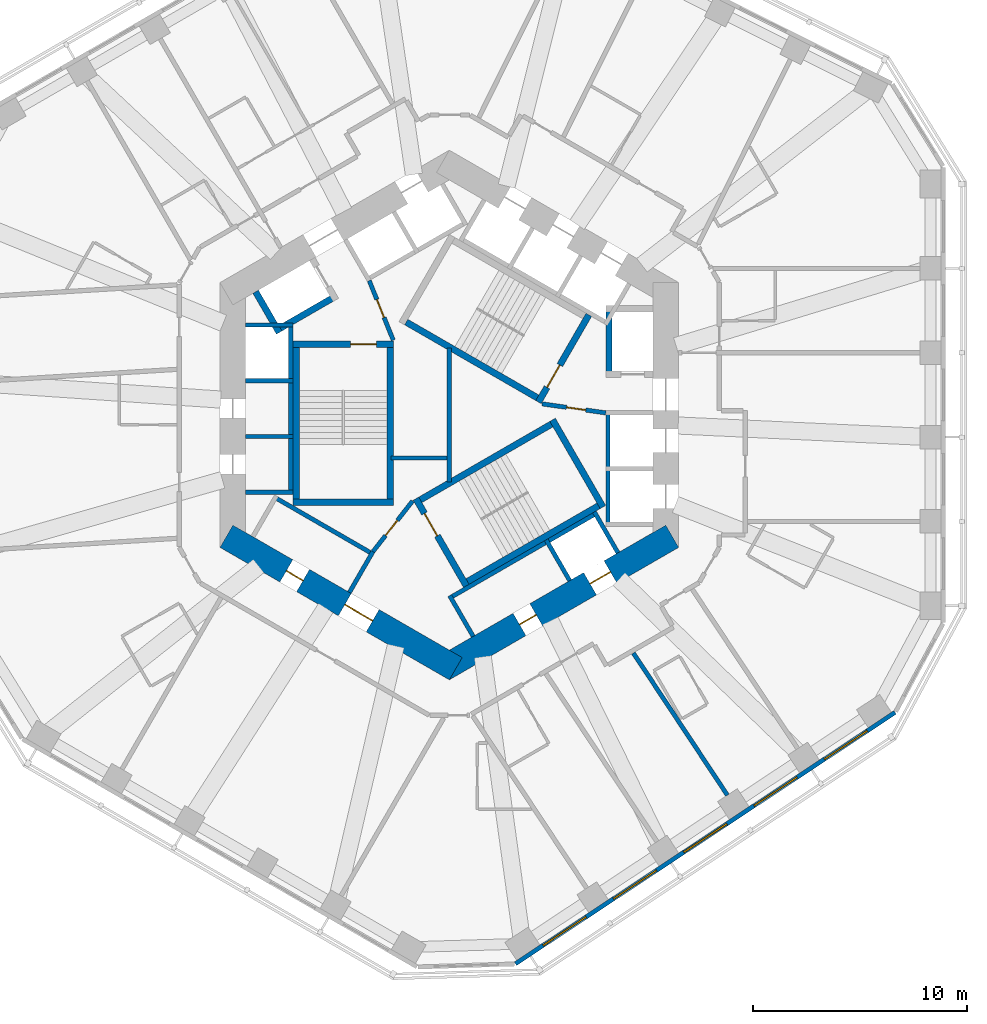
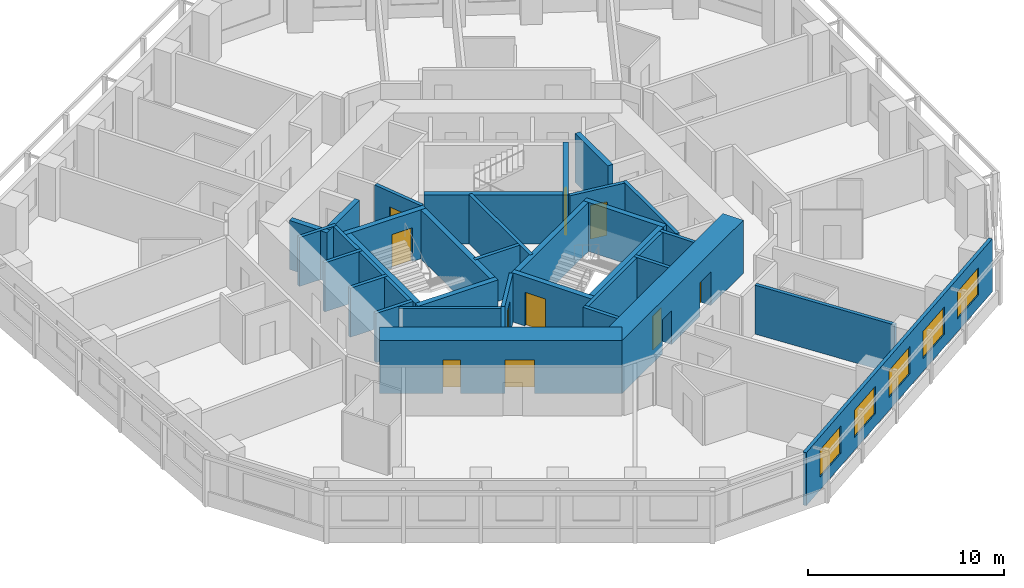
# One storey, part 5 of 12: 34 walls, 10 doors, 5 windows, 15 openings.
"""IFC4 building model written with IfcOpenShell, lengths in metres."""

from ifc_helpers import new_model, si_unit, direction, frame, frame_2d, origin, place, context, subcontext, project, spatial, rectangle, extrude, material, layer, layer_set, type_object, element, fill, save


model = new_model("IFC4")

# Units and contexts
model_context = context("Model", 3, precision=1e-05, world=origin(), true_north=direction((0.0, 1.0)))
body_context = subcontext(model_context, "Body", "Model", "MODEL_VIEW")
ifc_project = project(units=[si_unit("LENGTHUNIT", "METRE"), si_unit("AREAUNIT", "SQUARE_METRE"), si_unit("VOLUMEUNIT", "CUBIC_METRE"), si_unit("PLANEANGLEUNIT", "RADIAN"), si_unit("MASSUNIT", "GRAM", prefix="KILO")], contexts=[model_context])

# Site, building, storey
site_placement = place(None, origin())
site = spatial("IfcSite", under=ifc_project, at=site_placement, CompositionType="ELEMENT")
building_placement = place(site_placement, origin())
building = spatial("IfcBuilding", under=site, at=building_placement, Name="Vanh Sen Convention Tower", CompositionType="ELEMENT")
storey_placement = place(building_placement, frame((0.0, 0.0, 113.300048828125)))
storey = spatial("IfcBuildingStorey", under=building, at=storey_placement, Name="L27", CompositionType="ELEMENT", Elevation=113.300048828125)

# Wall, openings, doors
ifc_material_1 = material(Name="Concrete C80/95", Category="concrete")
ifc_layer_1 = layer(ifc_material_1, 1.199951171875)
ifc_layer_set_1 = layer_set([ifc_layer_1], Name="Concrete C80/95")
wall_type_1 = type_object("IfcWallType", Name="Core outer wall 1200 C80/95", PredefinedType="SHEAR", material=ifc_layer_set_1)
wall_1_placement = place(storey_placement, frame((-10.39990234375, -5.657958984375, 0.0), z_axis=(0.0, 0.0, 1.0), x_axis=(0.866021384402, -0.500006961711, 0.0)))
wall_1 = element("IfcWall", 1, at=wall_1_placement, inside=storey, type_object=wall_type_1, Name="Core wall face SW L27", PredefinedType="SHEAR", context=body_context, shape_type="SweptSolid", body=[
    extrude(rectangle(XDim=12.355224609375, YDim=1.199951171875, at=frame_2d((6.177734375, 0.0))), origin(), (0.0, 0.0, 1.0), 3.300048828125),
])
opening_1_placement = place(wall_1_placement, frame((6.377685546875, 0.0, 0.0)))
opening_1 = element("IfcOpeningElement", 2, at=opening_1_placement, cuts=wall_1, Name="Opening D27003", PredefinedType="OPENING", context=body_context, shape_type="SweptSolid", body=[
    extrude(rectangle(XDim=1.5, YDim=2.10009765625, at=frame_2d((0.75, 1.050048828125))), frame((0.0, 0.60986328125, 0.0), z_axis=(0.0, -1.0, 0.0), x_axis=(1.0, 0.0, 0.0)), (0.0, 0.0, 1.0), 1.219970703125),
])
opening_2_placement = place(wall_1_placement, frame((3.227783203125, 0.0, 0.0)))
opening_2 = element("IfcOpeningElement", 3, at=opening_2_placement, cuts=wall_1, Name="Opening D27012", PredefinedType="OPENING", context=body_context, shape_type="SweptSolid", body=[
    extrude(rectangle(XDim=0.89990234375, YDim=2.10009765625, at=frame_2d((0.449951171875, 1.050048828125))), frame((0.0, 0.60986328125, 0.0), z_axis=(0.0, -1.0, 0.0), x_axis=(1.0, 0.0, 0.0)), (0.0, 0.0, 1.0), 1.219970703125),
])
ifc_material_2 = material(Name="Steel S355", Category="steel")
door_type_1 = type_object("IfcDoorType", Name="Plant door 900", OperationType="SINGLE_SWING_LEFT", PredefinedType="DOOR", material=ifc_material_2)
door_1_placement = place(opening_2_placement, origin())
door_1 = element("IfcDoor", 4, at=door_1_placement, inside=storey, type_object=door_type_1, Name="Plant door D27012", OperationType="SINGLE_SWING_LEFT", OverallHeight=2.10009765625, OverallWidth=0.89990234375, PredefinedType="DOOR", context=body_context, shape_type="SweptSolid", body=[
    extrude(rectangle(XDim=0.89990234375, YDim=2.10009765625, at=frame_2d((0.449951171875, 1.050048828125))), frame((0.0, 0.02490234375, 0.0), z_axis=(0.0, -1.0, 0.0), x_axis=(1.0, 0.0, 0.0)), (0.0, 0.0, 1.0), 0.050048828125),
])
fill(opening_2, door_1)
door_type_2 = type_object("IfcDoorType", Name="Stair lobby door 1500", OperationType="DOUBLE_DOOR_SINGLE_SWING", PredefinedType="DOOR", material=ifc_material_2)
door_2_placement = place(opening_1_placement, origin())
door_2 = element("IfcDoor", 5, at=door_2_placement, inside=storey, type_object=door_type_2, Name="Stair lobby door D27003", OperationType="DOUBLE_DOOR_SINGLE_SWING", OverallHeight=2.10009765625, OverallWidth=1.5, PredefinedType="DOOR", context=body_context, shape_type="SweptSolid", body=[
    extrude(rectangle(XDim=1.5, YDim=2.10009765625, at=frame_2d((0.75, 1.050048828125))), frame((0.0, 0.02490234375, 0.0), z_axis=(0.0, -1.0, 0.0), x_axis=(1.0, 0.0, 0.0)), (0.0, 0.0, 1.0), 0.050048828125),
])
fill(opening_1, door_2)

wall_2_placement = place(storey_placement, frame((-0.300048828125, -11.835693359375, 0.0), z_axis=(0.0, 0.0, 1.0), x_axis=(0.866021384402, 0.500006961711, 0.0)))
wall_2 = element("IfcWall", 6, at=wall_2_placement, inside=storey, type_object=wall_type_1, Name="Core wall face SE L27", PredefinedType="SHEAR", context=body_context, shape_type="SweptSolid", body=[
    extrude(rectangle(XDim=12.355224609375, YDim=1.199951171875, at=frame_2d((6.177734375, 0.0))), origin(), (0.0, 0.0, 1.0), 3.300048828125),
])
opening_3_placement = place(wall_2_placement, frame((4.127685546875, 0.0, 0.0)))
opening_3 = element("IfcOpeningElement", 7, at=opening_3_placement, cuts=wall_2, Name="Opening D27013", PredefinedType="OPENING", context=body_context, shape_type="SweptSolid", body=[
    extrude(rectangle(XDim=0.89990234375, YDim=2.10009765625, at=frame_2d((0.449951171875, 1.050048828125))), frame((0.0, 0.60986328125, 0.0), z_axis=(0.0, -1.0, 0.0), x_axis=(1.0, 0.0, 0.0)), (0.0, 0.0, 1.0), 1.219970703125),
])
opening_4_placement = place(wall_2_placement, frame((7.927734375, 0.0, 0.0)))
opening_4 = element("IfcOpeningElement", 8, at=opening_4_placement, cuts=wall_2, Name="Opening LD-SV1", PredefinedType="OPENING", context=body_context, shape_type="SweptSolid", body=[
    extrude(rectangle(XDim=1.10009765625, YDim=2.10009765625, at=frame_2d((0.550048828125, 1.050048828125))), frame((0.0, 0.60986328125, 0.0), z_axis=(0.0, -1.0, 0.0), x_axis=(1.0, 0.0, 0.0)), (0.0, 0.0, 1.0), 1.219970703125),
])
ifc_material_3 = material(Name="Stainless steel", Category="steel")
door_type_3 = type_object("IfcDoorType", Name="Lift landing door 1100", OperationType="DOUBLE_DOOR_SLIDING", PredefinedType="DOOR", material=ifc_material_3)
door_3_placement = place(opening_4_placement, origin())
door_3 = element("IfcDoor", 9, at=door_3_placement, inside=storey, type_object=door_type_3, Name="Lift SV1 landing door LD-SV1", OperationType="DOUBLE_DOOR_SLIDING", OverallHeight=2.10009765625, OverallWidth=1.10009765625, PredefinedType="DOOR", context=body_context, shape_type="SweptSolid", body=[
    extrude(rectangle(XDim=1.10009765625, YDim=2.10009765625, at=frame_2d((0.550048828125, 1.050048828125))), frame((0.0, 0.02490234375, 0.0), z_axis=(0.0, -1.0, 0.0), x_axis=(1.0, 0.0, 0.0)), (0.0, 0.0, 1.0), 0.050048828125),
])
fill(opening_4, door_3)
door_4_placement = place(opening_3_placement, origin())
door_4 = element("IfcDoor", 10, at=door_4_placement, inside=storey, type_object=door_type_1, Name="Plant door D27013", OperationType="SINGLE_SWING_LEFT", OverallHeight=2.10009765625, OverallWidth=0.89990234375, PredefinedType="DOOR", context=body_context, shape_type="SweptSolid", body=[
    extrude(rectangle(XDim=0.89990234375, YDim=2.10009765625, at=frame_2d((0.449951171875, 1.050048828125))), frame((0.0, 0.02490234375, 0.0), z_axis=(0.0, -1.0, 0.0), x_axis=(1.0, 0.0, 0.0)), (0.0, 0.0, 1.0), 0.050048828125),
])
fill(opening_3, door_4)

# Walls
ifc_material_4 = material(Name="Masonry blockwork", Category="masonry")
ifc_layer_2 = layer(ifc_material_4, 0.199951171875)
ifc_layer_set_2 = layer_set([ifc_layer_2], Name="Masonry blockwork")
wall_type_2 = type_object("IfcWallType", Name="Core partition 200", PredefinedType="PARTITIONING", material=ifc_layer_set_2)
wall_3_placement = place(storey_placement, frame((-2.719970703125, -2.0, 0.0), z_axis=(0.0, 0.0, 1.0), x_axis=(1.0, 0.0, 0.0)))
element("IfcWall", 11, at=wall_3_placement, inside=storey, type_object=wall_type_2, Name="Core partition L27", PredefinedType="PARTITIONING", context=body_context, shape_type="SweptSolid", body=[
    extrude(rectangle(XDim=2.619873046875, YDim=0.199951171875, at=frame_2d((1.31005859375, 0.0))), origin(), (0.0, 0.0, 1.0), 3.050048828125),
])
wall_4_placement = place(storey_placement, frame((0.0, -3.122314453125, 0.0), z_axis=(0.0, 0.0, 1.0), x_axis=(0.0, 1.0, 0.0)))
element("IfcWall", 12, at=wall_4_placement, inside=storey, type_object=wall_type_2, Name="Core partition L27", PredefinedType="PARTITIONING", context=body_context, shape_type="SweptSolid", body=[
    extrude(rectangle(XDim=6.24462890625, YDim=0.199951171875, at=frame_2d((3.122314453125, 0.0))), origin(), (0.0, 0.0, 1.0), 3.050048828125),
])

# Wall, openings, windows
ifc_material_5 = material(Name="Insulated lightweight infill wall")
ifc_layer_3 = layer(ifc_material_5, 0.199951171875)
ifc_layer_set_3 = layer_set([ifc_layer_3], Name="Insulated lightweight infill wall")
wall_type_3 = type_object("IfcWallType", Name="External wall 200", PredefinedType="STANDARD", material=ifc_layer_set_3)
wall_5_placement = place(storey_placement, frame((3.0830078125, -25.60107421875, 0.0), z_axis=(0.0, 0.0, 1.0), x_axis=(0.833884295743, 0.551939291329, 0.0)))
wall_5 = element("IfcWall", 13, at=wall_5_placement, inside=storey, type_object=wall_type_3, Name="External wall SE L27", PredefinedType="STANDARD", context=body_context, shape_type="SweptSolid", body=[
    extrude(rectangle(XDim=21.24609375, YDim=0.199951171875, at=frame_2d((10.623046875, 0.0))), origin(), (0.0, 0.0, 1.0), 3.300048828125),
])
opening_5_placement = place(wall_5_placement, frame((1.552978515625, 0.0, 0.800048828125)))
opening_5 = element("IfcOpeningElement", 14, at=opening_5_placement, cuts=wall_5, Name="Opening WH1-SE1", PredefinedType="OPENING", context=body_context, shape_type="SweptSolid", body=[
    extrude(rectangle(XDim=2.39990234375, YDim=1.699951171875, at=frame_2d((1.199951171875, 0.85009765625))), frame((0.0, 0.10986328125, 0.0), z_axis=(0.0, -1.0, 0.0), x_axis=(1.0, 0.0, 0.0)), (0.0, 0.0, 1.0), 0.219970703125),
])
opening_6_placement = place(wall_5_placement, frame((5.487548828125, 0.0, 0.800048828125)))
opening_6 = element("IfcOpeningElement", 15, at=opening_6_placement, cuts=wall_5, Name="Opening WH1-SE2", PredefinedType="OPENING", context=body_context, shape_type="SweptSolid", body=[
    extrude(rectangle(XDim=2.39990234375, YDim=1.699951171875, at=frame_2d((1.199951171875, 0.85009765625))), frame((0.0, 0.10986328125, 0.0), z_axis=(0.0, -1.0, 0.0), x_axis=(1.0, 0.0, 0.0)), (0.0, 0.0, 1.0), 0.219970703125),
])
opening_7_placement = place(wall_5_placement, frame((9.422119140625, 0.0, 0.800048828125)))
opening_7 = element("IfcOpeningElement", 16, at=opening_7_placement, cuts=wall_5, Name="Opening WH1-SE3", PredefinedType="OPENING", context=body_context, shape_type="SweptSolid", body=[
    extrude(rectangle(XDim=2.39990234375, YDim=1.699951171875, at=frame_2d((1.199951171875, 0.85009765625))), frame((0.0, 0.10986328125, 0.0), z_axis=(0.0, -1.0, 0.0), x_axis=(1.0, 0.0, 0.0)), (0.0, 0.0, 1.0), 0.219970703125),
])
opening_8_placement = place(wall_5_placement, frame((13.356689453125, 0.0, 0.800048828125)))
opening_8 = element("IfcOpeningElement", 17, at=opening_8_placement, cuts=wall_5, Name="Opening WH1-SE4", PredefinedType="OPENING", context=body_context, shape_type="SweptSolid", body=[
    extrude(rectangle(XDim=2.39990234375, YDim=1.699951171875, at=frame_2d((1.199951171875, 0.85009765625))), frame((0.0, 0.10986328125, 0.0), z_axis=(0.0, -1.0, 0.0), x_axis=(1.0, 0.0, 0.0)), (0.0, 0.0, 1.0), 0.219970703125),
])
opening_9_placement = place(wall_5_placement, frame((17.291259765625, 0.0, 0.800048828125)))
opening_9 = element("IfcOpeningElement", 18, at=opening_9_placement, cuts=wall_5, Name="Opening WH1-SE5", PredefinedType="OPENING", context=body_context, shape_type="SweptSolid", body=[
    extrude(rectangle(XDim=2.39990234375, YDim=1.699951171875, at=frame_2d((1.199951171875, 0.85009765625))), frame((0.0, 0.10986328125, 0.0), z_axis=(0.0, -1.0, 0.0), x_axis=(1.0, 0.0, 0.0)), (0.0, 0.0, 1.0), 0.219970703125),
])
ifc_material_6 = material(Name="Aluminium frame with clear low-emissivity glass", Category="aluminium")
window_type = type_object("IfcWindowType", Name="Hotel window 2400 x 1700", PartitioningType="SINGLE_PANEL", PredefinedType="WINDOW", material=ifc_material_6)
window_1_placement = place(opening_5_placement, origin())
window_1 = element("IfcWindow", 19, at=window_1_placement, inside=storey, type_object=window_type, Name="Window WH1-SE1", OverallHeight=1.699951171875, OverallWidth=2.39990234375, PartitioningType="SINGLE_PANEL", PredefinedType="WINDOW", context=body_context, shape_type="SweptSolid", body=[
    extrude(rectangle(XDim=2.39990234375, YDim=1.699951171875, at=frame_2d((1.199951171875, 0.85009765625))), frame((0.0, 0.030029296875, 0.0), z_axis=(0.0, -1.0, 0.0), x_axis=(1.0, 0.0, 0.0)), (0.0, 0.0, 1.0), 0.06005859375),
])
fill(opening_5, window_1)
window_2_placement = place(opening_6_placement, origin())
window_2 = element("IfcWindow", 20, at=window_2_placement, inside=storey, type_object=window_type, Name="Window WH1-SE2", OverallHeight=1.699951171875, OverallWidth=2.39990234375, PartitioningType="SINGLE_PANEL", PredefinedType="WINDOW", context=body_context, shape_type="SweptSolid", body=[
    extrude(rectangle(XDim=2.39990234375, YDim=1.699951171875, at=frame_2d((1.199951171875, 0.85009765625))), frame((0.0, 0.030029296875, 0.0), z_axis=(0.0, -1.0, 0.0), x_axis=(1.0, 0.0, 0.0)), (0.0, 0.0, 1.0), 0.06005859375),
])
fill(opening_6, window_2)
window_3_placement = place(opening_7_placement, origin())
window_3 = element("IfcWindow", 21, at=window_3_placement, inside=storey, type_object=window_type, Name="Window WH1-SE3", OverallHeight=1.699951171875, OverallWidth=2.39990234375, PartitioningType="SINGLE_PANEL", PredefinedType="WINDOW", context=body_context, shape_type="SweptSolid", body=[
    extrude(rectangle(XDim=2.39990234375, YDim=1.699951171875, at=frame_2d((1.199951171875, 0.85009765625))), frame((0.0, 0.030029296875, 0.0), z_axis=(0.0, -1.0, 0.0), x_axis=(1.0, 0.0, 0.0)), (0.0, 0.0, 1.0), 0.06005859375),
])
fill(opening_7, window_3)
window_4_placement = place(opening_8_placement, origin())
window_4 = element("IfcWindow", 22, at=window_4_placement, inside=storey, type_object=window_type, Name="Window WH1-SE4", OverallHeight=1.699951171875, OverallWidth=2.39990234375, PartitioningType="SINGLE_PANEL", PredefinedType="WINDOW", context=body_context, shape_type="SweptSolid", body=[
    extrude(rectangle(XDim=2.39990234375, YDim=1.699951171875, at=frame_2d((1.199951171875, 0.85009765625))), frame((0.0, 0.030029296875, 0.0), z_axis=(0.0, -1.0, 0.0), x_axis=(1.0, 0.0, 0.0)), (0.0, 0.0, 1.0), 0.06005859375),
])
fill(opening_8, window_4)
window_5_placement = place(opening_9_placement, origin())
window_5 = element("IfcWindow", 23, at=window_5_placement, inside=storey, type_object=window_type, Name="Window WH1-SE5", OverallHeight=1.699951171875, OverallWidth=2.39990234375, PartitioningType="SINGLE_PANEL", PredefinedType="WINDOW", context=body_context, shape_type="SweptSolid", body=[
    extrude(rectangle(XDim=2.39990234375, YDim=1.699951171875, at=frame_2d((1.199951171875, 0.85009765625))), frame((0.0, 0.030029296875, 0.0), z_axis=(0.0, -1.0, 0.0), x_axis=(1.0, 0.0, 0.0)), (0.0, 0.0, 1.0), 0.06005859375),
])
fill(opening_9, window_5)

# Walls
ifc_material_7 = material(Name="Concrete C60/75", Category="concrete")
ifc_layer_4 = layer(ifc_material_7, 0.300048828125)
ifc_layer_set_4 = layer_set([ifc_layer_4], Name="Concrete C60/75")
wall_type_4 = type_object("IfcWallType", Name="Fire-fighting lift shaft wall 300", PredefinedType="SHEAR", material=ifc_layer_set_4)
wall_6_placement = place(storey_placement, frame((7.449951171875, 1.75, 0.0), z_axis=(0.0, 0.0, 1.0), x_axis=(0.0, 1.0, 0.0)))
element("IfcWall", 24, at=wall_6_placement, inside=storey, type_object=wall_type_4, Name="Fire-fighting lift shaft wall L27", PredefinedType="SHEAR", context=body_context, shape_type="SweptSolid", body=[
    extrude(rectangle(XDim=3.35009765625, YDim=0.300048828125, at=frame_2d((1.675048828125, 0.0))), origin(), (0.0, 0.0, 1.0), 3.050048828125),
])
wall_7_placement = place(storey_placement, frame((-5.240478515625, 5.576904296875, 0.0), z_axis=(0.0, 0.0, 1.0), x_axis=(-0.866014461049, -0.500018952895, 0.0)))
element("IfcWall", 25, at=wall_7_placement, inside=storey, type_object=wall_type_4, Name="Fire-fighting lift shaft wall L27", PredefinedType="SHEAR", context=body_context, shape_type="SweptSolid", body=[
    extrude(rectangle(XDim=3.349853515625, YDim=0.300048828125, at=frame_2d((1.6748046875, 0.0))), origin(), (0.0, 0.0, 1.0), 3.050048828125),
])
wall_8_placement = place(storey_placement, frame((-7.936767578125, 3.846923828125, 0.0), z_axis=(0.0, 0.0, 1.0), x_axis=(-0.50002983664, 0.866008176907, 0.0)))
element("IfcWall", 26, at=wall_8_placement, inside=storey, type_object=wall_type_4, Name="Fire-fighting lift shaft wall L27", PredefinedType="SHEAR", context=body_context, shape_type="SweptSolid", body=[
    extrude(rectangle(XDim=2.199951171875, YDim=0.300048828125, at=frame_2d((1.10009765625, 0.0))), origin(), (0.0, 0.0, 1.0), 3.050048828125),
])
ifc_material_8 = material(Name="Gypsum board on steel studs with mineral wool", Category="steel")
ifc_layer_5 = layer(ifc_material_8, 0.199951171875)
ifc_layer_set_5 = layer_set([ifc_layer_5], Name="Gypsum board on steel studs with mineral wool")
wall_type_5 = type_object("IfcWallType", Name="Hotel party wall 200", PredefinedType="PARTITIONING", material=ifc_layer_set_5)
wall_9_placement = place(storey_placement, frame((12.973876953125, -17.7353515625, 0.0), z_axis=(0.0, 0.0, 1.0), x_axis=(-0.55192625685, 0.833892922982, 0.0)))
element("IfcWall", 27, at=wall_9_placement, inside=storey, type_object=wall_type_5, Name="Hotel party wall 200", PredefinedType="PARTITIONING", context=body_context, shape_type="SweptSolid", body=[
    extrude(rectangle(XDim=7.9501953125, YDim=0.199951171875, at=frame_2d((3.97509765625, 0.0))), origin(), (0.0, 0.0, 1.0), 3.050048828125),
])
ifc_material_9 = material(Name="Concrete C40/50", Category="concrete")
ifc_layer_6 = layer(ifc_material_9, 0.199951171875)
ifc_layer_set_6 = layer_set([ifc_layer_6], Name="Concrete C40/50")
wall_type_6 = type_object("IfcWallType", Name="Lift shaft wall 200", PredefinedType="PARTITIONING", material=ifc_layer_set_6)
wall_10_placement = place(storey_placement, frame((7.39990234375, -5.199951171875, 0.0), z_axis=(0.0, 0.0, 1.0), x_axis=(0.0, 1.0, 0.0)))
element("IfcWall", 28, at=wall_10_placement, inside=storey, type_object=wall_type_6, Name="Lift shaft wall L27", PredefinedType="PARTITIONING", context=body_context, shape_type="SweptSolid", body=[
    extrude(rectangle(XDim=5.39990234375, YDim=0.199951171875, at=frame_2d((2.699951171875, 0.0))), origin(), (0.0, 0.0, 1.0), 3.050048828125),
])
wall_11_placement = place(storey_placement, frame((-7.39990234375, 4.300048828125, 0.0), z_axis=(0.0, 0.0, 1.0), x_axis=(0.0, -1.0, 0.0)))
element("IfcWall", 29, at=wall_11_placement, inside=storey, type_object=wall_type_6, Name="Lift shaft wall L27", PredefinedType="PARTITIONING", context=body_context, shape_type="SweptSolid", body=[
    extrude(rectangle(XDim=8.0, YDim=0.199951171875, at=frame_2d((4.0, 0.0))), origin(), (0.0, 0.0, 1.0), 3.050048828125),
])
for number, where, z_axis, x_axis, name in (
    (30, (-7.300048828125, 4.199951171875, 0.0), (0.0, 0.0, 1.0), (-1.0, 0.0, 0.0), "Lift shaft wall L27"),
    (31, (-7.300048828125, 1.60009765625, 0.0), (0.0, 0.0, 1.0), (-1.0, 0.0, 0.0), "Lift shaft wall L27"),
    (32, (-7.300048828125, -1.0, 0.0), (0.0, 0.0, 1.0), (-1.0, 0.0, 0.0), "Lift shaft wall L27"),
    (33, (-7.300048828125, -3.60009765625, 0.0), (0.0, 0.0, 1.0), (-1.0, 0.0, 0.0), "Lift shaft wall L27"),
):
    element("IfcWall", number, at=place(storey_placement, frame(where, z_axis=z_axis, x_axis=x_axis)), inside=storey, type_object=wall_type_6, Name=name, PredefinedType="PARTITIONING", context=body_context, shape_type="SweptSolid", body=[
        extrude(rectangle(XDim=2.199951171875, YDim=0.199951171875, at=frame_2d((1.10009765625, 0.0))), origin(), (0.0, 0.0, 1.0), 3.050048828125),
    ])
wall_12_placement = place(storey_placement, frame((-8.203369140625, -3.80859375, 0.0), z_axis=(0.0, 0.0, 1.0), x_axis=(0.866028230842, -0.499995103361, 0.0)))
element("IfcWall", 34, at=wall_12_placement, inside=storey, type_object=wall_type_6, Name="Lift shaft wall L27", PredefinedType="PARTITIONING", context=body_context, shape_type="SweptSolid", body=[
    extrude(rectangle(XDim=5.39990234375, YDim=0.199951171875, at=frame_2d((2.699951171875, 0.0))), origin(), (0.0, 0.0, 1.0), 3.050048828125),
])
wall_13_placement = place(storey_placement, frame((-3.5634765625, -6.3720703125, 0.0), z_axis=(0.0, 0.0, 1.0), x_axis=(-0.499994660107, -0.866028486751, 0.0)))
element("IfcWall", 35, at=wall_13_placement, inside=storey, type_object=wall_type_6, Name="Lift shaft wall L27", PredefinedType="PARTITIONING", context=body_context, shape_type="SweptSolid", body=[
    extrude(rectangle(XDim=2.19970703125, YDim=0.199951171875, at=frame_2d((1.099853515625, 0.0))), origin(), (0.0, 0.0, 1.0), 3.050048828125),
])
wall_14_placement = place(storey_placement, frame((-0.02392578125, -8.55859375, 0.0), z_axis=(0.0, 0.0, 1.0), x_axis=(0.866026010844, 0.49999894854, 0.0)))
element("IfcWall", 36, at=wall_14_placement, inside=storey, type_object=wall_type_6, Name="Lift shaft wall L27", PredefinedType="PARTITIONING", context=body_context, shape_type="SweptSolid", body=[
    extrude(rectangle(XDim=8.0, YDim=0.199951171875, at=frame_2d((4.0, 0.0))), origin(), (0.0, 0.0, 1.0), 3.050048828125),
])
for number, where, z_axis, x_axis, name in (
    (37, (0.0126953125, -8.422119140625, 0.0), (0.0, 0.0, 1.0), (0.500077893725, -0.86598042715, 0.0), "Lift shaft wall L27"),
    (38, (4.51611328125, -5.822021484375, 0.0), (0.0, 0.0, 1.0), (0.499946605688, -0.86605622881, 0.0), "Lift shaft wall L27"),
    (39, (6.767578125, -4.52197265625, 0.0), (0.0, 0.0, 1.0), (0.50002983664, -0.866008176907, 0.0), "Lift shaft wall L27"),
):
    element("IfcWall", number, at=place(storey_placement, frame(where, z_axis=z_axis, x_axis=x_axis)), inside=storey, type_object=wall_type_6, Name=name, PredefinedType="PARTITIONING", context=body_context, shape_type="SweptSolid", body=[
        extrude(rectangle(XDim=2.199951171875, YDim=0.199951171875, at=frame_2d((1.10009765625, 0.0))), origin(), (0.0, 0.0, 1.0), 3.050048828125),
    ])

# Wall, opening, door
ifc_layer_7 = layer(ifc_material_9, 0.199951171875)
ifc_layer_set_7 = layer_set([ifc_layer_7], Name="Concrete C40/50")
wall_type_7 = type_object("IfcWallType", Name="Stair lobby wall 200", PredefinedType="PARTITIONING", material=ifc_layer_set_7)
wall_15_placement = place(storey_placement, frame((4.327392578125, 0.52099609375, 0.0), z_axis=(0.0, 0.0, 1.0), x_axis=(0.990124376366, -0.14019172346, 0.0)))
wall_15 = element("IfcWall", 40, at=wall_15_placement, inside=storey, type_object=wall_type_7, Name="Stair lobby wall L27", PredefinedType="PARTITIONING", context=body_context, shape_type="SweptSolid", body=[
    extrude(rectangle(XDim=3.002197265625, YDim=0.199951171875, at=frame_2d((1.5009765625, 0.0))), origin(), (0.0, 0.0, 1.0), 3.050048828125),
])
opening_10_placement = place(wall_15_placement, frame((1.14990234375, 0.0, 0.0)))
opening_10 = element("IfcOpeningElement", 41, at=opening_10_placement, cuts=wall_15, Name="Opening D27007", PredefinedType="OPENING", context=body_context, shape_type="SweptSolid", body=[
    extrude(rectangle(XDim=0.89990234375, YDim=2.10009765625, at=frame_2d((0.449951171875, 1.050048828125))), frame((0.0, 0.10986328125, 0.0), z_axis=(0.0, -1.0, 0.0), x_axis=(1.0, 0.0, 0.0)), (0.0, 0.0, 1.0), 0.219970703125),
])
door_5_placement = place(opening_10_placement, origin())
door_5 = element("IfcDoor", 42, at=door_5_placement, inside=storey, type_object=door_type_1, Name="Plant door D27007", OperationType="SINGLE_SWING_LEFT", OverallHeight=2.10009765625, OverallWidth=0.89990234375, PredefinedType="DOOR", context=body_context, shape_type="SweptSolid", body=[
    extrude(rectangle(XDim=0.89990234375, YDim=2.10009765625, at=frame_2d((0.449951171875, 1.050048828125))), frame((0.0, 0.02490234375, 0.0), z_axis=(0.0, -1.0, 0.0), x_axis=(1.0, 0.0, 0.0)), (0.0, 0.0, 1.0), 0.050048828125),
])
fill(opening_10, door_5)

wall_16_placement = place(storey_placement, frame((-2.614990234375, 3.487060546875, 0.0), z_axis=(0.0, 0.0, 1.0), x_axis=(-0.373576831041, 0.92759924068, 0.0)))
wall_16 = element("IfcWall", 43, at=wall_16_placement, inside=storey, type_object=wall_type_7, Name="Stair lobby wall L27", PredefinedType="PARTITIONING", context=body_context, shape_type="SweptSolid", body=[
    extrude(rectangle(XDim=3.002197265625, YDim=0.199951171875, at=frame_2d((1.5009765625, 0.0))), origin(), (0.0, 0.0, 1.0), 3.050048828125),
])
opening_11_placement = place(wall_16_placement, frame((1.14990234375, 0.0, 0.0)))
opening_11 = element("IfcOpeningElement", 44, at=opening_11_placement, cuts=wall_16, Name="Opening D27008", PredefinedType="OPENING", context=body_context, shape_type="SweptSolid", body=[
    extrude(rectangle(XDim=0.89990234375, YDim=2.10009765625, at=frame_2d((0.449951171875, 1.050048828125))), frame((0.0, 0.10986328125, 0.0), z_axis=(0.0, -1.0, 0.0), x_axis=(1.0, 0.0, 0.0)), (0.0, 0.0, 1.0), 0.219970703125),
])
door_6_placement = place(opening_11_placement, origin())
door_6 = element("IfcDoor", 45, at=door_6_placement, inside=storey, type_object=door_type_1, Name="Plant door D27008", OperationType="SINGLE_SWING_LEFT", OverallHeight=2.10009765625, OverallWidth=0.89990234375, PredefinedType="DOOR", context=body_context, shape_type="SweptSolid", body=[
    extrude(rectangle(XDim=0.89990234375, YDim=2.10009765625, at=frame_2d((0.449951171875, 1.050048828125))), frame((0.0, 0.02490234375, 0.0), z_axis=(0.0, -1.0, 0.0), x_axis=(1.0, 0.0, 0.0)), (0.0, 0.0, 1.0), 0.050048828125),
])
fill(opening_11, door_6)

wall_17_placement = place(storey_placement, frame((-1.71240234375, -4.00830078125, 0.0), z_axis=(0.0, 0.0, 1.0), x_axis=(-0.616549420702, -0.787316208287, 0.0)))
wall_17 = element("IfcWall", 46, at=wall_17_placement, inside=storey, type_object=wall_type_7, Name="Stair lobby wall L27", PredefinedType="PARTITIONING", context=body_context, shape_type="SweptSolid", body=[
    extrude(rectangle(XDim=3.002197265625, YDim=0.199951171875, at=frame_2d((1.5009765625, 0.0))), origin(), (0.0, 0.0, 1.0), 3.050048828125),
])
opening_12_placement = place(wall_17_placement, frame((1.14990234375, 0.0, 0.0)))
opening_12 = element("IfcOpeningElement", 47, at=opening_12_placement, cuts=wall_17, Name="Opening D27009", PredefinedType="OPENING", context=body_context, shape_type="SweptSolid", body=[
    extrude(rectangle(XDim=0.89990234375, YDim=2.10009765625, at=frame_2d((0.449951171875, 1.050048828125))), frame((0.0, 0.10986328125, 0.0), z_axis=(0.0, -1.0, 0.0), x_axis=(1.0, 0.0, 0.0)), (0.0, 0.0, 1.0), 0.219970703125),
])
door_7_placement = place(opening_12_placement, origin())
door_7 = element("IfcDoor", 48, at=door_7_placement, inside=storey, type_object=door_type_1, Name="Plant door D27009", OperationType="SINGLE_SWING_LEFT", OverallHeight=2.10009765625, OverallWidth=0.89990234375, PredefinedType="DOOR", context=body_context, shape_type="SweptSolid", body=[
    extrude(rectangle(XDim=0.89990234375, YDim=2.10009765625, at=frame_2d((0.449951171875, 1.050048828125))), frame((0.0, 0.02490234375, 0.0), z_axis=(0.0, -1.0, 0.0), x_axis=(1.0, 0.0, 0.0)), (0.0, 0.0, 1.0), 0.050048828125),
])
fill(opening_12, door_7)

ifc_layer_8 = layer(ifc_material_7, 0.300048828125)
ifc_layer_set_8 = layer_set([ifc_layer_8], Name="Concrete C60/75")
wall_type_8 = type_object("IfcWallType", Name="Stair wall 300", PredefinedType="SHEAR", material=ifc_layer_set_8)
wall_18_placement = place(storey_placement, frame((4.157958984375, 0.601806640625, 0.0), z_axis=(0.0, 0.0, 1.0), x_axis=(0.499977259774, 0.866038532462, 0.0)))
wall_18 = element("IfcWall", 49, at=wall_18_placement, inside=storey, type_object=wall_type_8, Name="Stair wall L27", PredefinedType="SHEAR", context=body_context, shape_type="SweptSolid", body=[
    extrude(rectangle(XDim=4.699951171875, YDim=0.300048828125, at=frame_2d((2.35009765625, 0.0))), origin(), (0.0, 0.0, 1.0), 3.050048828125),
])
opening_13_placement = place(wall_18_placement, frame((0.800048828125, 0.0, 0.0)))
opening_13 = element("IfcOpeningElement", 50, at=opening_13_placement, cuts=wall_18, Name="Opening D27004", PredefinedType="OPENING", context=body_context, shape_type="SweptSolid", body=[
    extrude(rectangle(XDim=1.199951171875, YDim=2.10009765625, at=frame_2d((0.60009765625, 1.050048828125))), frame((0.0, 0.159912109375, 0.0), z_axis=(0.0, -1.0, 0.0), x_axis=(1.0, 0.0, 0.0)), (0.0, 0.0, 1.0), 0.320068359375),
])
door_type_4 = type_object("IfcDoorType", Name="Stair door 1200", OperationType="SINGLE_SWING_RIGHT", PredefinedType="DOOR", material=ifc_material_2)
door_8_placement = place(opening_13_placement, origin())
door_8 = element("IfcDoor", 51, at=door_8_placement, inside=storey, type_object=door_type_4, Name="Stair ST1 door D27004", OperationType="SINGLE_SWING_RIGHT", OverallHeight=2.10009765625, OverallWidth=1.199951171875, PredefinedType="DOOR", context=body_context, shape_type="SweptSolid", body=[
    extrude(rectangle(XDim=1.199951171875, YDim=2.10009765625, at=frame_2d((0.60009765625, 1.050048828125))), frame((0.0, 0.02490234375, 0.0), z_axis=(0.0, -1.0, 0.0), x_axis=(1.0, 0.0, 0.0)), (0.0, 0.0, 1.0), 0.050048828125),
])
fill(opening_13, door_8)

# Wall
wall_19_placement = place(storey_placement, frame((4.10302734375, 0.806640625, 0.0), z_axis=(0.0, 0.0, 1.0), x_axis=(-0.866027801685, 0.499995846692, 0.0)))
element("IfcWall", 52, at=wall_19_placement, inside=storey, type_object=wall_type_8, Name="Stair wall L27", PredefinedType="SHEAR", context=body_context, shape_type="SweptSolid", body=[
    extrude(rectangle(XDim=7.06005859375, YDim=0.300048828125, at=frame_2d((3.530029296875, 0.0))), origin(), (0.0, 0.0, 1.0), 3.050048828125),
])

# Wall, opening, door
wall_20_placement = place(storey_placement, frame((-2.60009765625, 3.300048828125, 0.0), z_axis=(0.0, 0.0, 1.0), x_axis=(-1.0, 0.0, 0.0)))
wall_20 = element("IfcWall", 53, at=wall_20_placement, inside=storey, type_object=wall_type_8, Name="Stair wall L27", PredefinedType="SHEAR", context=body_context, shape_type="SweptSolid", body=[
    extrude(rectangle(XDim=4.699951171875, YDim=0.300048828125, at=frame_2d((2.35009765625, 0.0))), origin(), (0.0, 0.0, 1.0), 3.050048828125),
])
opening_14_placement = place(wall_20_placement, frame((0.800048828125, 0.0, 0.0)))
opening_14 = element("IfcOpeningElement", 54, at=opening_14_placement, cuts=wall_20, Name="Opening D27005", PredefinedType="OPENING", context=body_context, shape_type="SweptSolid", body=[
    extrude(rectangle(XDim=1.199951171875, YDim=2.10009765625, at=frame_2d((0.60009765625, 1.050048828125))), frame((0.0, 0.159912109375, 0.0), z_axis=(0.0, -1.0, 0.0), x_axis=(1.0, 0.0, 0.0)), (0.0, 0.0, 1.0), 0.320068359375),
])
door_9_placement = place(opening_14_placement, origin())
door_9 = element("IfcDoor", 55, at=door_9_placement, inside=storey, type_object=door_type_4, Name="Stair ST2 door D27005", OperationType="SINGLE_SWING_RIGHT", OverallHeight=2.10009765625, OverallWidth=1.199951171875, PredefinedType="DOOR", context=body_context, shape_type="SweptSolid", body=[
    extrude(rectangle(XDim=1.199951171875, YDim=2.10009765625, at=frame_2d((0.60009765625, 1.050048828125))), frame((0.0, 0.02490234375, 0.0), z_axis=(0.0, -1.0, 0.0), x_axis=(1.0, 0.0, 0.0)), (0.0, 0.0, 1.0), 0.050048828125),
])
fill(opening_14, door_9)

# Walls
wall_21_placement = place(storey_placement, frame((-2.60009765625, -4.06005859375, 0.0), z_axis=(0.0, 0.0, 1.0), x_axis=(-1.0, 0.0, 0.0)))
element("IfcWall", 56, at=wall_21_placement, inside=storey, type_object=wall_type_8, Name="Stair wall L27", PredefinedType="SHEAR", context=body_context, shape_type="SweptSolid", body=[
    extrude(rectangle(XDim=4.699951171875, YDim=0.300048828125, at=frame_2d((2.35009765625, 0.0))), origin(), (0.0, 0.0, 1.0), 3.050048828125),
])
for number, where, z_axis, x_axis, name in (
    (57, (-2.75, 3.14990234375, 0.0), (0.0, 0.0, 1.0), (0.0, -1.0, 0.0), "Stair wall L27"),
    (58, (-7.14990234375, 3.14990234375, 0.0), (0.0, 0.0, 1.0), (0.0, -1.0, 0.0), "Stair wall L27"),
):
    element("IfcWall", number, at=place(storey_placement, frame(where, z_axis=z_axis, x_axis=x_axis)), inside=storey, type_object=wall_type_8, Name=name, PredefinedType="SHEAR", context=body_context, shape_type="SweptSolid", body=[
        extrude(rectangle(XDim=7.059814453125, YDim=0.300048828125, at=frame_2d((3.52978515625, 0.0))), origin(), (0.0, 0.0, 1.0), 3.050048828125),
    ])

# Wall, opening, door
wall_22_placement = place(storey_placement, frame((-1.557861328125, -3.901611328125, 0.0), z_axis=(0.0, 0.0, 1.0), x_axis=(0.499977259774, -0.866038532462, 0.0)))
wall_22 = element("IfcWall", 59, at=wall_22_placement, inside=storey, type_object=wall_type_8, Name="Stair wall L27", PredefinedType="SHEAR", context=body_context, shape_type="SweptSolid", body=[
    extrude(rectangle(XDim=4.699951171875, YDim=0.300048828125, at=frame_2d((2.35009765625, 0.0))), origin(), (0.0, 0.0, 1.0), 3.050048828125),
])
opening_15_placement = place(wall_22_placement, frame((0.800048828125, 0.0, 0.0)))
opening_15 = element("IfcOpeningElement", 60, at=opening_15_placement, cuts=wall_22, Name="Opening D27006", PredefinedType="OPENING", context=body_context, shape_type="SweptSolid", body=[
    extrude(rectangle(XDim=1.199951171875, YDim=2.10009765625, at=frame_2d((0.60009765625, 1.050048828125))), frame((0.0, 0.159912109375, 0.0), z_axis=(0.0, -1.0, 0.0), x_axis=(1.0, 0.0, 0.0)), (0.0, 0.0, 1.0), 0.320068359375),
])
door_10_placement = place(opening_15_placement, origin())
door_10 = element("IfcDoor", 61, at=door_10_placement, inside=storey, type_object=door_type_4, Name="Stair ST3 door D27006", OperationType="SINGLE_SWING_RIGHT", OverallHeight=2.10009765625, OverallWidth=1.199951171875, PredefinedType="DOOR", context=body_context, shape_type="SweptSolid", body=[
    extrude(rectangle(XDim=1.199951171875, YDim=2.10009765625, at=frame_2d((0.60009765625, 1.050048828125))), frame((0.0, 0.02490234375, 0.0), z_axis=(0.0, -1.0, 0.0), x_axis=(1.0, 0.0, 0.0)), (0.0, 0.0, 1.0), 0.050048828125),
])
fill(opening_15, door_10)

# Walls
wall_23_placement = place(storey_placement, frame((4.816162109375, -0.2216796875, 0.0), z_axis=(0.0, 0.0, 1.0), x_axis=(0.499977259774, -0.866038532462, 0.0)))
element("IfcWall", 62, at=wall_23_placement, inside=storey, type_object=wall_type_8, Name="Stair wall L27", PredefinedType="SHEAR", context=body_context, shape_type="SweptSolid", body=[
    extrude(rectangle(XDim=4.699951171875, YDim=0.300048828125, at=frame_2d((2.35009765625, 0.0))), origin(), (0.0, 0.0, 1.0), 3.050048828125),
])
for number, where, z_axis, x_axis, name in (
    (63, (-1.35302734375, -3.95654296875, 0.0), (0.0, 0.0, 1.0), (0.866027801685, 0.499995846692, 0.0), "Stair wall L27"),
    (64, (0.846923828125, -7.76708984375, 0.0), (0.0, 0.0, 1.0), (0.866027801685, 0.499995846692, 0.0), "Stair wall L27"),
):
    element("IfcWall", number, at=place(storey_placement, frame(where, z_axis=z_axis, x_axis=x_axis)), inside=storey, type_object=wall_type_8, Name=name, PredefinedType="SHEAR", context=body_context, shape_type="SweptSolid", body=[
        extrude(rectangle(XDim=7.06005859375, YDim=0.300048828125, at=frame_2d((3.530029296875, 0.0))), origin(), (0.0, 0.0, 1.0), 3.050048828125),
    ])

save(model, "model.ifc")
